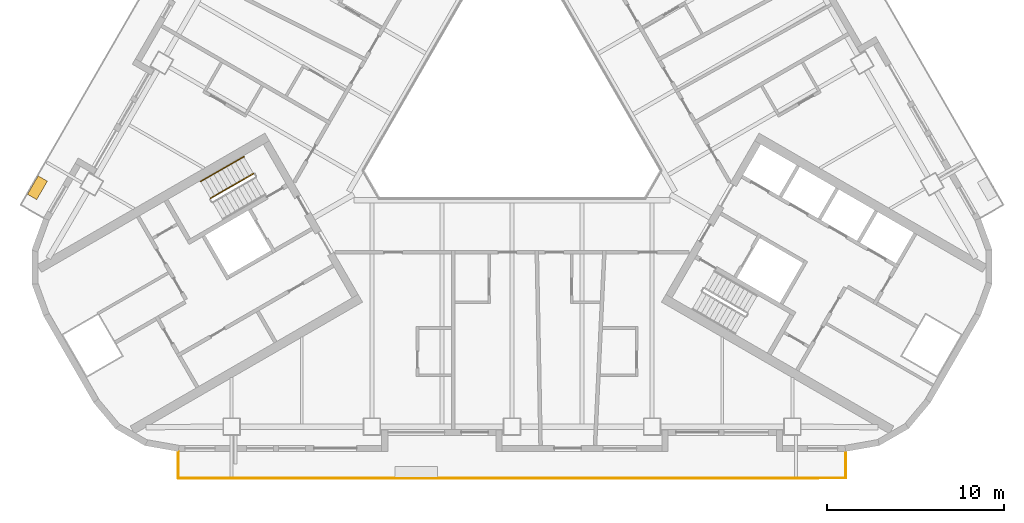
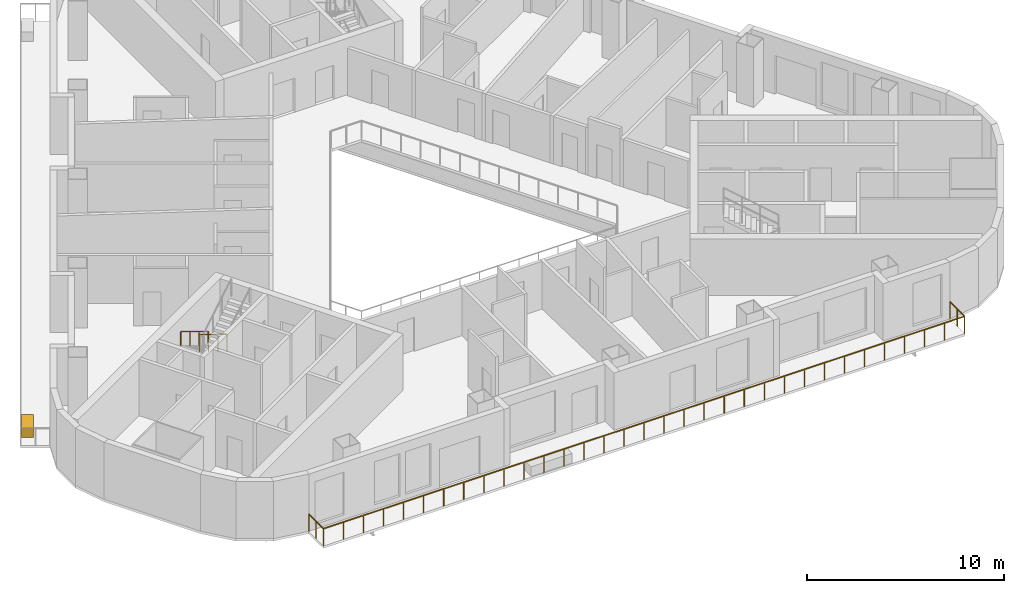
# One storey, part 10 of 14: 3 railings, 1 covering.
"""IFC4 building model written with IfcOpenShell, lengths in metres."""

from ifc_helpers import new_model, si_unit, direction, frame, origin, origin_2d, place, context, subcontext, project, spatial, rectangle, circle, extrude, material, type_object, element, save


model = new_model("IFC4")

# Units and contexts
model_context = context("Model", 3, precision=1e-05, world=origin(), true_north=direction((0.0, 1.0)))
body_context = subcontext(model_context, "Body", "Model", "MODEL_VIEW")
ifc_project = project(units=[si_unit("LENGTHUNIT", "METRE"), si_unit("AREAUNIT", "SQUARE_METRE"), si_unit("VOLUMEUNIT", "CUBIC_METRE"), si_unit("PLANEANGLEUNIT", "RADIAN"), si_unit("MASSUNIT", "GRAM", prefix="KILO")], contexts=[model_context])

# Site, building, storey
site_placement = place(None, origin())
site = spatial("IfcSite", under=ifc_project, at=site_placement, CompositionType="ELEMENT")
building_placement = place(site_placement, origin())
building = spatial("IfcBuilding", under=site, at=building_placement, Name="Apuvela Tower Hotel", CompositionType="ELEMENT")
storey_placement = place(building_placement, frame((0.0, 0.0, 50.199951171875)))
storey = spatial("IfcBuildingStorey", under=building, at=storey_placement, Name="L09", CompositionType="ELEMENT", Elevation=50.199951171875)

# Railings
ifc_material_1 = material(Name="Steel S275 balustrade", Category="steel")
railing_type_1 = type_object("IfcRailingType", Name="COR-GUARD-1100", PredefinedType="GUARDRAIL", material=ifc_material_1)
railing_1_placement = place(storey_placement, frame((-14.569091796875, -3.9658203125, 0.168212890625)))
element("IfcRailing", 1, at=railing_1_placement, inside=storey, type_object=railing_type_1, Name="L09 ST2 stair guard 1", PredefinedType="GUARDRAIL", context=body_context, shape_type="SweptSolid", body=[
    extrude(rectangle(XDim=0.048095703125, YDim=0.048095703125, at=origin_2d()), frame((0.0, 0.0, 1.076171875), z_axis=(-0.742390482028, -0.42860119049, 0.514934356695), x_axis=(0.49998411664, -0.866034573852, 0.0)), (0.0, 0.0, 1.0), 3.26611328125),
    extrude(rectangle(XDim=0.0419921875, YDim=0.0419921875, at=origin_2d()), origin(), (0.0, 0.0, 1.0), 1.052001953125),
    extrude(rectangle(XDim=0.0419921875, YDim=0.0419921875, at=origin_2d()), frame((-0.808349609375, -0.466552734375, 0.560546875)), (0.0, 0.0, 1.0), 1.052001953125),
    extrude(rectangle(XDim=0.0419921875, YDim=0.0419921875, at=origin_2d()), frame((-1.616455078125, -0.933349609375, 1.121337890625)), (0.0, 0.0, 1.0), 1.052001953125),
    extrude(rectangle(XDim=0.0419921875, YDim=0.0419921875, at=origin_2d()), frame((-2.4248046875, -1.39990234375, 1.681884765625)), (0.0, 0.0, 1.0), 1.052001953125),
])
ifc_material_2 = material(Name="Stainless steel 316 handrail", Category="steel")
railing_type_2 = type_object("IfcRailingType", Name="COR-HANDRAIL-900", PredefinedType="HANDRAIL", material=ifc_material_2)
railing_2_placement = place(storey_placement, frame((-15.118896484375, -3.01318359375, 0.168212890625)))
element("IfcRailing", 2, at=railing_2_placement, inside=storey, type_object=railing_type_2, Name="L09 ST2 stair handrail 1", PredefinedType="HANDRAIL", context=body_context, shape_type="SweptSolid", body=[
    extrude(circle(Radius=0.02392578125, at=origin_2d()), frame((0.0, 0.0, 0.8759765625), z_axis=(-0.742424030051, -0.428577407461, 0.514905783049), x_axis=(0.49994636267, -0.866056369097, 0.0)), (0.0, 0.0, 1.0), 3.266357421875),
    extrude(rectangle(XDim=0.0419921875, YDim=0.0419921875, at=origin_2d()), origin(), (0.0, 0.0, 1.0), 0.851806640625),
    extrude(rectangle(XDim=0.0419921875, YDim=0.0419921875, at=origin_2d()), frame((-0.808349609375, -0.466552734375, 0.560546875)), (0.0, 0.0, 1.0), 0.851806640625),
    extrude(rectangle(XDim=0.0419921875, YDim=0.0419921875, at=origin_2d()), frame((-1.61669921875, -0.933349609375, 1.121337890625)), (0.0, 0.0, 1.0), 0.851806640625),
    extrude(rectangle(XDim=0.0419921875, YDim=0.0419921875, at=origin_2d()), frame((-2.425048828125, -1.39990234375, 1.681884765625)), (0.0, 0.0, 1.0), 0.851806640625),
])
ifc_material_3 = material(Name="Stainless steel 316 rail with laminated glass infill", Category="steel")
railing_type_3 = type_object("IfcRailingType", Name="ENV-GUARD-1100", PredefinedType="GUARDRAIL", material=ifc_material_3)
railing_3_placement = place(storey_placement, frame((-18.81591796875, -19.6298828125, 0.0)))
element("IfcRailing", 3, at=railing_3_placement, inside=storey, type_object=railing_type_3, Name="Balcony guard S L09", PredefinedType="GUARDRAIL", context=body_context, shape_type="SweptSolid", body=[
    extrude(rectangle(XDim=0.050048828125, YDim=0.050048828125, at=origin_2d()), frame((0.0, 0.0, 1.0751953125), z_axis=(0.0, -1.0, 0.0), x_axis=(1.0, 0.0, 0.0)), (0.0, 0.0, 1.0), 1.5),
    extrude(rectangle(XDim=0.050048828125, YDim=0.050048828125, at=origin_2d()), frame((0.0, -1.5, 1.0751953125), z_axis=(1.0, 0.0, 0.0), x_axis=(0.0, 1.0, 0.0)), (0.0, 0.0, 1.0), 37.6318359375),
    extrude(rectangle(XDim=0.050048828125, YDim=0.050048828125, at=origin_2d()), frame((37.6318359375, -1.5, 1.0751953125), z_axis=(0.0, 1.0, 0.0), x_axis=(-1.0, 0.0, 0.0)), (0.0, 0.0, 1.0), 1.5),
    extrude(rectangle(XDim=0.0400390625, YDim=0.0400390625, at=origin_2d()), origin(), (0.0, 0.0, 1.0), 1.050048828125),
    extrude(rectangle(XDim=0.0400390625, YDim=0.0400390625, at=origin_2d()), frame((0.0, -0.75, 0.0)), (0.0, 0.0, 1.0), 1.050048828125),
    extrude(rectangle(XDim=0.0400390625, YDim=0.0400390625, at=origin_2d()), frame((0.0, -1.5, 0.0)), (0.0, 0.0, 1.0), 1.050048828125),
    extrude(rectangle(XDim=0.0400390625, YDim=0.0400390625, at=origin_2d()), frame((1.176025390625, -1.5, 0.0)), (0.0, 0.0, 1.0), 1.050048828125),
    extrude(rectangle(XDim=0.0400390625, YDim=0.0400390625, at=origin_2d()), frame((2.35205078125, -1.5, 0.0)), (0.0, 0.0, 1.0), 1.050048828125),
    extrude(rectangle(XDim=0.0400390625, YDim=0.0400390625, at=origin_2d()), frame((3.528076171875, -1.5, 0.0)), (0.0, 0.0, 1.0), 1.050048828125),
    extrude(rectangle(XDim=0.0400390625, YDim=0.0400390625, at=origin_2d()), frame((4.7041015625, -1.5, 0.0)), (0.0, 0.0, 1.0), 1.050048828125),
    extrude(rectangle(XDim=0.0400390625, YDim=0.0400390625, at=origin_2d()), frame((5.8798828125, -1.5, 0.0)), (0.0, 0.0, 1.0), 1.050048828125),
    extrude(rectangle(XDim=0.0400390625, YDim=0.0400390625, at=origin_2d()), frame((7.055908203125, -1.5, 0.0)), (0.0, 0.0, 1.0), 1.050048828125),
    extrude(rectangle(XDim=0.0400390625, YDim=0.0400390625, at=origin_2d()), frame((8.23193359375, -1.5, 0.0)), (0.0, 0.0, 1.0), 1.050048828125),
    extrude(rectangle(XDim=0.0400390625, YDim=0.0400390625, at=origin_2d()), frame((9.407958984375, -1.5, 0.0)), (0.0, 0.0, 1.0), 1.050048828125),
    extrude(rectangle(XDim=0.0400390625, YDim=0.0400390625, at=origin_2d()), frame((10.583984375, -1.5, 0.0)), (0.0, 0.0, 1.0), 1.050048828125),
    extrude(rectangle(XDim=0.0400390625, YDim=0.0400390625, at=origin_2d()), frame((11.760009765625, -1.5, 0.0)), (0.0, 0.0, 1.0), 1.050048828125),
    extrude(rectangle(XDim=0.0400390625, YDim=0.0400390625, at=origin_2d()), frame((12.93603515625, -1.5, 0.0)), (0.0, 0.0, 1.0), 1.050048828125),
    extrude(rectangle(XDim=0.0400390625, YDim=0.0400390625, at=origin_2d()), frame((14.11181640625, -1.5, 0.0)), (0.0, 0.0, 1.0), 1.050048828125),
    extrude(rectangle(XDim=0.0400390625, YDim=0.0400390625, at=origin_2d()), frame((15.287841796875, -1.5, 0.0)), (0.0, 0.0, 1.0), 1.050048828125),
    extrude(rectangle(XDim=0.0400390625, YDim=0.0400390625, at=origin_2d()), frame((16.4638671875, -1.5, 0.0)), (0.0, 0.0, 1.0), 1.050048828125),
    extrude(rectangle(XDim=0.0400390625, YDim=0.0400390625, at=origin_2d()), frame((17.639892578125, -1.5, 0.0)), (0.0, 0.0, 1.0), 1.050048828125),
    extrude(rectangle(XDim=0.0400390625, YDim=0.0400390625, at=origin_2d()), frame((18.81591796875, -1.5, 0.0)), (0.0, 0.0, 1.0), 1.050048828125),
    extrude(rectangle(XDim=0.0400390625, YDim=0.0400390625, at=origin_2d()), frame((19.991943359375, -1.5, 0.0)), (0.0, 0.0, 1.0), 1.050048828125),
    extrude(rectangle(XDim=0.0400390625, YDim=0.0400390625, at=origin_2d()), frame((21.16796875, -1.5, 0.0)), (0.0, 0.0, 1.0), 1.050048828125),
    extrude(rectangle(XDim=0.0400390625, YDim=0.0400390625, at=origin_2d()), frame((22.343994140625, -1.5, 0.0)), (0.0, 0.0, 1.0), 1.050048828125),
    extrude(rectangle(XDim=0.0400390625, YDim=0.0400390625, at=origin_2d()), frame((23.52001953125, -1.5, 0.0)), (0.0, 0.0, 1.0), 1.050048828125),
    extrude(rectangle(XDim=0.0400390625, YDim=0.0400390625, at=origin_2d()), frame((24.69580078125, -1.5, 0.0)), (0.0, 0.0, 1.0), 1.050048828125),
    extrude(rectangle(XDim=0.0400390625, YDim=0.0400390625, at=origin_2d()), frame((25.871826171875, -1.5, 0.0)), (0.0, 0.0, 1.0), 1.050048828125),
    extrude(rectangle(XDim=0.0400390625, YDim=0.0400390625, at=origin_2d()), frame((27.0478515625, -1.5, 0.0)), (0.0, 0.0, 1.0), 1.050048828125),
    extrude(rectangle(XDim=0.0400390625, YDim=0.0400390625, at=origin_2d()), frame((28.223876953125, -1.5, 0.0)), (0.0, 0.0, 1.0), 1.050048828125),
    extrude(rectangle(XDim=0.0400390625, YDim=0.0400390625, at=origin_2d()), frame((29.39990234375, -1.5, 0.0)), (0.0, 0.0, 1.0), 1.050048828125),
    extrude(rectangle(XDim=0.0400390625, YDim=0.0400390625, at=origin_2d()), frame((30.575927734375, -1.5, 0.0)), (0.0, 0.0, 1.0), 1.050048828125),
    extrude(rectangle(XDim=0.0400390625, YDim=0.0400390625, at=origin_2d()), frame((31.751953125, -1.5, 0.0)), (0.0, 0.0, 1.0), 1.050048828125),
    extrude(rectangle(XDim=0.0400390625, YDim=0.0400390625, at=origin_2d()), frame((32.927734375, -1.5, 0.0)), (0.0, 0.0, 1.0), 1.050048828125),
    extrude(rectangle(XDim=0.0400390625, YDim=0.0400390625, at=origin_2d()), frame((34.103759765625, -1.5, 0.0)), (0.0, 0.0, 1.0), 1.050048828125),
    extrude(rectangle(XDim=0.0400390625, YDim=0.0400390625, at=origin_2d()), frame((35.27978515625, -1.5, 0.0)), (0.0, 0.0, 1.0), 1.050048828125),
    extrude(rectangle(XDim=0.0400390625, YDim=0.0400390625, at=origin_2d()), frame((36.455810546875, -1.5, 0.0)), (0.0, 0.0, 1.0), 1.050048828125),
    extrude(rectangle(XDim=0.0400390625, YDim=0.0400390625, at=origin_2d()), frame((37.6318359375, -1.5, 0.0)), (0.0, 0.0, 1.0), 1.050048828125),
    extrude(rectangle(XDim=0.0400390625, YDim=0.0400390625, at=origin_2d()), frame((37.6318359375, -0.75, 0.0)), (0.0, 0.0, 1.0), 1.050048828125),
    extrude(rectangle(XDim=0.0400390625, YDim=0.0400390625, at=origin_2d()), frame((37.6318359375, 0.0, 0.0)), (0.0, 0.0, 1.0), 1.050048828125),
])

# Covering
ifc_material_4 = material(Name="Planting substrate and soil, planted")
covering_type = type_object("IfcCoveringType", Name="ENV-PLANTER-1200x600", PredefinedType="USERDEFINED", material=ifc_material_4)
covering_placement = place(storey_placement, frame((-26.74609375, -4.765625, 0.0), z_axis=(0.0, 0.0, 1.0), x_axis=(-0.5, -0.866025403784, 0.0)))
element("IfcCovering", 4, at=covering_placement, inside=storey, type_object=covering_type, Name="Planter NW4", ObjectType="PLANTER", PredefinedType="USERDEFINED", context=body_context, shape_type="SweptSolid", body=[
    extrude(rectangle(XDim=1.199951171875, YDim=0.60009765625, at=origin_2d()), origin(), (0.0, 0.0, 1.0), 0.60009765625),
])

save(model, "model.ifc")
